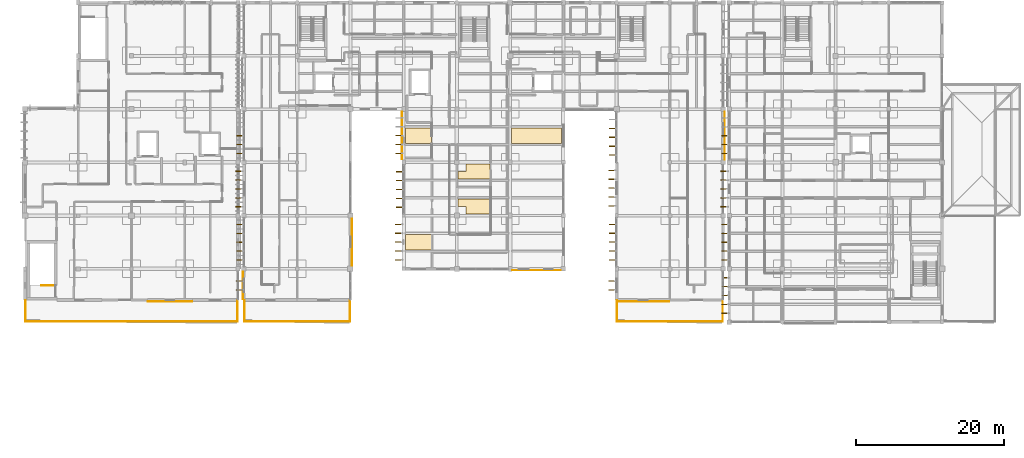
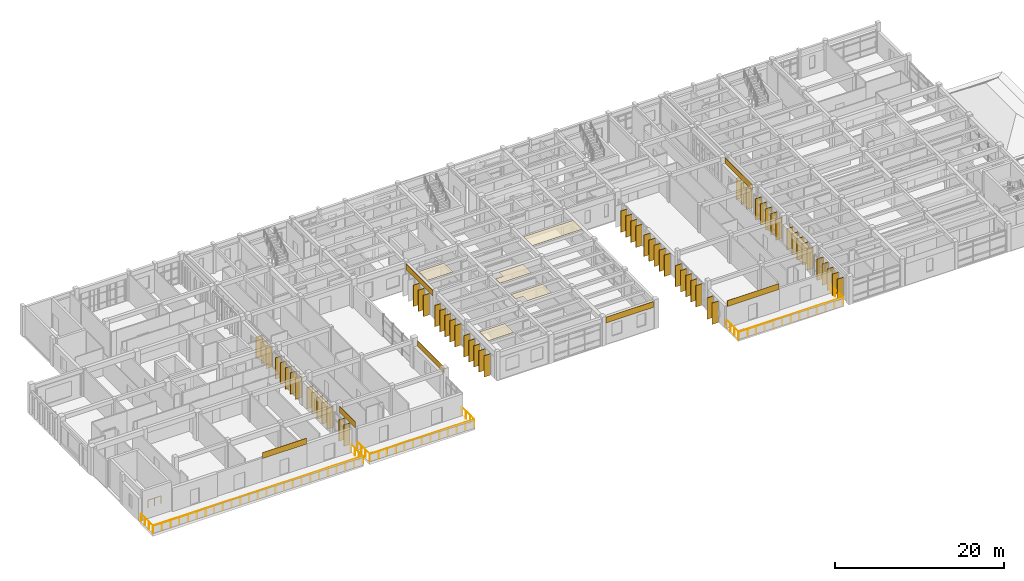
# One storey, part 49 of 55: 62 shading devices, 12 coverings, 10 railings.
"""IFC4 building model written with IfcOpenShell, lengths in metres."""

from ifc_helpers import new_model, si_unit, direction, frame, origin, origin_2d, place, context, subcontext, project, spatial, polyline, rectangle, circle, outline, extrude, material, layer, layer_set, material_profile, profile_set, type_object, element, save


model = new_model("IFC4")

# Units and contexts
model_context = context("Model", 3, precision=1e-05, world=origin(), true_north=direction((0.0, 1.0)))
body_context = subcontext(model_context, "Body", "Model", "MODEL_VIEW")
ifc_project = project(units=[si_unit("LENGTHUNIT", "METRE"), si_unit("AREAUNIT", "SQUARE_METRE"), si_unit("VOLUMEUNIT", "CUBIC_METRE"), si_unit("PLANEANGLEUNIT", "RADIAN"), si_unit("MASSUNIT", "GRAM", prefix="KILO")], contexts=[model_context])

# Site, building, storey
site_placement = place(None, origin())
site = spatial("IfcSite", under=ifc_project, at=site_placement, CompositionType="ELEMENT")
building_placement = place(site_placement, origin())
building = spatial("IfcBuilding", under=site, at=building_placement, Name="Steenspoor Specialist Clinic", CompositionType="ELEMENT")
storey_placement = place(building_placement, frame((0.0, 0.0, 13.199951171875)))
storey = spatial("IfcBuildingStorey", under=building, at=storey_placement, Name="L03", CompositionType="ELEMENT", Elevation=13.199951171875)

# Coverings
ifc_material_1 = material(Name="Washable acoustic mineral ceiling board", Category="gypsum")
ifc_layer_1 = layer(ifc_material_1, 0.02490234375)
ifc_layer_set_1 = layer_set([ifc_layer_1], Name="Washable acoustic mineral ceiling board")
covering_type_1 = type_object("IfcCoveringType", Name="COV-CEIL-ACOUSTIC", PredefinedType="CEILING", material=ifc_layer_set_1)
covering_1_placement = place(storey_placement, frame((0.0, 0.0, 3.925048828125)))
element("IfcCovering", 1, at=covering_1_placement, inside=storey, type_object=covering_type_1, Name="Acoustic Clinical Ceiling 167", PredefinedType="CEILING", context=body_context, shape_type="SweptSolid", body=[
    extrude(outline(polyline([(74.260009765625, 77.0), (77.735107421875, 77.0), (77.735107421875, 74.889892578125), (74.260009765625, 74.889892578125), (74.260009765625, 77.0)])), origin(), (0.0, 0.0, 1.0), 0.02490234375),
])
covering_2_placement = place(storey_placement, frame((0.0, 0.0, 3.925048828125)))
element("IfcCovering", 2, at=covering_2_placement, inside=storey, type_object=covering_type_1, Name="Acoustic Clinical Ceiling 168", PredefinedType="CEILING", context=body_context, shape_type="SweptSolid", body=[
    extrude(outline(polyline([(95.340087890625, 89.2900390625), (88.594970703125, 89.2900390625), (88.594970703125, 91.39990234375), (95.340087890625, 91.39990234375), (95.340087890625, 89.2900390625)])), origin(), (0.0, 0.0, 1.0), 0.02490234375),
])
covering_3_placement = place(storey_placement, frame((0.0, 0.0, 3.925048828125)))
element("IfcCovering", 3, at=covering_3_placement, inside=storey, type_object=covering_type_1, Name="Acoustic Clinical Ceiling 169", PredefinedType="CEILING", context=body_context, shape_type="SweptSolid", body=[
    extrude(outline(polyline([(85.68505859375, 79.7451171875), (82.419921875, 79.7451171875), (82.419921875, 80.77001953125), (81.3701171875, 80.77001953125), (81.3701171875, 81.81005859375), (85.68505859375, 81.81005859375), (85.68505859375, 79.7451171875)])), origin(), (0.0, 0.0, 1.0), 0.02490234375),
])
covering_4_placement = place(storey_placement, frame((0.0, 0.0, 3.925048828125)))
element("IfcCovering", 4, at=covering_4_placement, inside=storey, type_object=covering_type_1, Name="Acoustic Clinical Ceiling 170", PredefinedType="CEILING", context=body_context, shape_type="SweptSolid", body=[
    extrude(outline(polyline([(85.68505859375, 84.5), (81.3701171875, 84.5), (81.3701171875, 85.530029296875), (82.419921875, 85.530029296875), (82.419921875, 86.5048828125), (85.68505859375, 86.5048828125), (85.68505859375, 84.5)])), origin(), (0.0, 0.0, 1.0), 0.02490234375),
])
covering_5_placement = place(storey_placement, frame((0.0, 0.0, 3.925048828125)))
element("IfcCovering", 5, at=covering_5_placement, inside=storey, type_object=covering_type_1, Name="Acoustic Clinical Ceiling 171", PredefinedType="CEILING", context=body_context, shape_type="SweptSolid", body=[
    extrude(outline(polyline([(74.260009765625, 91.39990234375), (77.735107421875, 91.39990234375), (77.735107421875, 89.2900390625), (74.260009765625, 89.2900390625), (74.260009765625, 91.39990234375)])), origin(), (0.0, 0.0, 1.0), 0.02490234375),
])
ifc_material_2 = material(Name="Glazed ceramic relief spandrel cladding", Category="masonry")
ifc_layer_2 = layer(ifc_material_2, 0.034912109375)
ifc_layer_set_2 = layer_set([ifc_layer_2], Name="Glazed ceramic relief spandrel cladding")
covering_type_2 = type_object("IfcCoveringType", Name="COV-CLAD-CERAMIC", PredefinedType="CLADDING", material=ifc_layer_set_2)
covering_6_placement = place(storey_placement, frame((117.4150390625, 90.35009765625, 3.115234375), z_axis=(0.0, 0.0, 1.0), x_axis=(0.0, -1.0, 0.0)))
element("IfcCovering", 6, at=covering_6_placement, inside=storey, type_object=covering_type_2, Name="Spandrel Cladding 49", PredefinedType="CLADDING", context=body_context, shape_type="SweptSolid", body=[
    extrude(rectangle(XDim=6.47998046875, YDim=0.0400390625, at=origin_2d()), origin(), (0.0, 0.0, 1.0), 0.840087890625),
])
covering_7_placement = place(storey_placement, frame((106.39990234375, 67.919921875, 3.115234375), z_axis=(0.0, 0.0, 1.0), x_axis=(-1.0, 0.0, 0.0)))
element("IfcCovering", 7, at=covering_7_placement, inside=storey, type_object=covering_type_2, Name="Spandrel Cladding 50", PredefinedType="CLADDING", context=body_context, shape_type="SweptSolid", body=[
    extrude(rectangle(XDim=7.080078125, YDim=0.0400390625, at=origin_2d()), origin(), (0.0, 0.0, 1.0), 0.840087890625),
])
covering_8_placement = place(storey_placement, frame((91.97509765625, 72.14990234375, 3.115234375), z_axis=(0.0, 0.0, 1.0), x_axis=(-1.0, 0.0, 0.0)))
element("IfcCovering", 8, at=covering_8_placement, inside=storey, type_object=covering_type_2, Name="Spandrel Cladding 52", PredefinedType="CLADDING", context=body_context, shape_type="SweptSolid", body=[
    extrude(rectangle(XDim=6.530029296875, YDim=0.0400390625, at=origin_2d()), origin(), (0.0, 0.0, 1.0), 0.840087890625),
])
covering_9_placement = place(storey_placement, frame((73.784912109375, 90.362548828125, 3.115234375), z_axis=(0.0, 0.0, 1.0), x_axis=(0.0, 1.0, 0.0)))
element("IfcCovering", 9, at=covering_9_placement, inside=storey, type_object=covering_type_2, Name="Spandrel Cladding 53", PredefinedType="CLADDING", context=body_context, shape_type="SweptSolid", body=[
    extrude(rectangle(XDim=6.405029296875, YDim=0.0400390625, at=origin_2d()), origin(), (0.0, 0.0, 1.0), 0.840087890625),
])
covering_10_placement = place(storey_placement, frame((67.030029296875, 75.96240234375, 3.115234375), z_axis=(0.0, 0.0, 1.0), x_axis=(0.0, -1.0, 0.0)))
element("IfcCovering", 10, at=covering_10_placement, inside=storey, type_object=covering_type_2, Name="Spandrel Cladding 54", PredefinedType="CLADDING", context=body_context, shape_type="SweptSolid", body=[
    extrude(rectangle(XDim=6.35498046875, YDim=0.0400390625, at=origin_2d()), origin(), (0.0, 0.0, 1.0), 0.840087890625),
])
covering_11_placement = place(storey_placement, frame((52.260009765625, 70.10009765625, 3.115234375), z_axis=(0.0, 0.0, 1.0), x_axis=(0.0, 1.0, 0.0)))
element("IfcCovering", 11, at=covering_11_placement, inside=storey, type_object=covering_type_2, Name="Spandrel Cladding 55", PredefinedType="CLADDING", context=body_context, shape_type="SweptSolid", body=[
    extrude(rectangle(XDim=3.780029296875, YDim=0.0400390625, at=origin_2d()), origin(), (0.0, 0.0, 1.0), 0.840087890625),
])
ifc_material_3 = material(Name="Glulam GL28h timber screen louvre cladding", Category="wood")
ifc_layer_3 = layer(ifc_material_3, 0.044921875)
ifc_layer_set_3 = layer_set([ifc_layer_3], Name="Glulam GL28h timber screen louvre cladding")
covering_type_3 = type_object("IfcCoveringType", Name="COV-CLAD-TIMBER", PredefinedType="CLADDING", material=ifc_layer_set_3)
covering_12_placement = place(storey_placement, frame((42.41259765625, 67.949951171875, 3.365234375), z_axis=(0.0, 0.0, 1.0), x_axis=(-1.0, 0.0, 0.0)))
element("IfcCovering", 12, at=covering_12_placement, inside=storey, type_object=covering_type_3, Name="Spandrel Cladding 76", PredefinedType="CLADDING", context=body_context, shape_type="SweptSolid", body=[
    extrude(rectangle(XDim=6.0048828125, YDim=0.0400390625, at=origin_2d()), origin(), (0.0, 0.0, 1.0), 0.840087890625),
])

# Railings
ifc_material_4 = material(Name="Galvanised architectural steel exterior guard", Category="steel")
railing_type_1 = type_object("IfcRailingType", Name="RAIL-EGUARD-1100", PredefinedType="GUARDRAIL", material=ifc_material_4)
railing_1_placement = place(storey_placement, frame((52.4599609375, 65.2099609375, 0.0)))
element("IfcRailing", 13, at=railing_1_placement, inside=storey, type_object=railing_type_1, Name="Terrace Perimeter Guard 1", PredefinedType="GUARDRAIL", context=body_context, shape_type="SweptSolid", body=[
    extrude(circle(Radius=0.02392578125, at=origin_2d()), frame((0.0, 0.0, 1.09619140625), z_axis=(1.0, 0.0, 0.0), x_axis=(0.0, 1.0, 0.0)), (0.0, 0.0, 1.0), 14.280029296875),
    extrude(circle(Radius=0.02099609375, at=origin_2d()), origin(), (0.0, 0.0, 1.0), 1.072021484375),
    extrude(circle(Radius=0.02099609375, at=origin_2d()), frame((1.18994140625, 0.0, 0.0)), (0.0, 0.0, 1.0), 1.072021484375),
    extrude(circle(Radius=0.02099609375, at=origin_2d()), frame((2.3798828125, 0.0, 0.0)), (0.0, 0.0, 1.0), 1.072021484375),
    extrude(circle(Radius=0.02099609375, at=origin_2d()), frame((3.570068359375, 0.0, 0.0)), (0.0, 0.0, 1.0), 1.072021484375),
    extrude(circle(Radius=0.02099609375, at=origin_2d()), frame((4.760009765625, 0.0, 0.0)), (0.0, 0.0, 1.0), 1.072021484375),
    extrude(circle(Radius=0.02099609375, at=origin_2d()), frame((5.949951171875, 0.0, 0.0)), (0.0, 0.0, 1.0), 1.072021484375),
    extrude(circle(Radius=0.02099609375, at=origin_2d()), frame((7.14013671875, 0.0, 0.0)), (0.0, 0.0, 1.0), 1.072021484375),
    extrude(circle(Radius=0.02099609375, at=origin_2d()), frame((8.330078125, 0.0, 0.0)), (0.0, 0.0, 1.0), 1.072021484375),
    extrude(circle(Radius=0.02099609375, at=origin_2d()), frame((9.52001953125, 0.0, 0.0)), (0.0, 0.0, 1.0), 1.072021484375),
    extrude(circle(Radius=0.02099609375, at=origin_2d()), frame((10.7099609375, 0.0, 0.0)), (0.0, 0.0, 1.0), 1.072021484375),
    extrude(circle(Radius=0.02099609375, at=origin_2d()), frame((11.89990234375, 0.0, 0.0)), (0.0, 0.0, 1.0), 1.072021484375),
    extrude(circle(Radius=0.02099609375, at=origin_2d()), frame((13.090087890625, 0.0, 0.0)), (0.0, 0.0, 1.0), 1.072021484375),
    extrude(circle(Radius=0.02099609375, at=origin_2d()), frame((14.280029296875, 0.0, 0.0)), (0.0, 0.0, 1.0), 1.072021484375),
])
railing_2_placement = place(storey_placement, frame((66.739990234375, 65.2099609375, 0.0)))
element("IfcRailing", 14, at=railing_2_placement, inside=storey, type_object=railing_type_1, Name="Terrace Perimeter Guard 2", PredefinedType="GUARDRAIL", context=body_context, shape_type="SweptSolid", body=[
    extrude(circle(Radius=0.02392578125, at=origin_2d()), frame((0.0, 0.0, 1.09619140625), z_axis=(0.0, 1.0, 0.0), x_axis=(-1.0, 0.0, 0.0)), (0.0, 0.0, 1.0), 2.880126953125),
    extrude(circle(Radius=0.02099609375, at=origin_2d()), origin(), (0.0, 0.0, 1.0), 1.072021484375),
    extrude(circle(Radius=0.02099609375, at=origin_2d()), frame((0.0, 0.9599609375, 0.0)), (0.0, 0.0, 1.0), 1.072021484375),
    extrude(circle(Radius=0.02099609375, at=origin_2d()), frame((0.0, 1.920166015625, 0.0)), (0.0, 0.0, 1.0), 1.072021484375),
    extrude(circle(Radius=0.02099609375, at=origin_2d()), frame((0.0, 2.880126953125, 0.0)), (0.0, 0.0, 1.0), 1.072021484375),
])
railing_3_placement = place(storey_placement, frame((52.4599609375, 68.090087890625, 0.0)))
element("IfcRailing", 15, at=railing_3_placement, inside=storey, type_object=railing_type_1, Name="Terrace Perimeter Guard 3", PredefinedType="GUARDRAIL", context=body_context, shape_type="SweptSolid", body=[
    extrude(circle(Radius=0.02392578125, at=origin_2d()), frame((0.0, 0.0, 1.09619140625), z_axis=(0.0, -1.0, 0.0), x_axis=(1.0, 0.0, 0.0)), (0.0, 0.0, 1.0), 2.880126953125),
    extrude(circle(Radius=0.02099609375, at=origin_2d()), origin(), (0.0, 0.0, 1.0), 1.072021484375),
    extrude(circle(Radius=0.02099609375, at=origin_2d()), frame((0.0, -0.9599609375, 0.0)), (0.0, 0.0, 1.0), 1.072021484375),
    extrude(circle(Radius=0.02099609375, at=origin_2d()), frame((0.0, -1.920166015625, 0.0)), (0.0, 0.0, 1.0), 1.072021484375),
    extrude(circle(Radius=0.02099609375, at=origin_2d()), frame((0.0, -2.880126953125, 0.0)), (0.0, 0.0, 1.0), 1.072021484375),
])
railing_4_placement = place(storey_placement, frame((102.860107421875, 65.2099609375, 0.0)))
element("IfcRailing", 16, at=railing_4_placement, inside=storey, type_object=railing_type_1, Name="Terrace Perimeter Guard 4", PredefinedType="GUARDRAIL", context=body_context, shape_type="SweptSolid", body=[
    extrude(circle(Radius=0.02392578125, at=origin_2d()), frame((0.0, 0.0, 1.09619140625), z_axis=(1.0, 0.0, 0.0), x_axis=(0.0, 1.0, 0.0)), (0.0, 0.0, 1.0), 14.27978515625),
    extrude(circle(Radius=0.02099609375, at=origin_2d()), origin(), (0.0, 0.0, 1.0), 1.072021484375),
    extrude(circle(Radius=0.02099609375, at=origin_2d()), frame((1.18994140625, 0.0, 0.0)), (0.0, 0.0, 1.0), 1.072021484375),
    extrude(circle(Radius=0.02099609375, at=origin_2d()), frame((2.3798828125, 0.0, 0.0)), (0.0, 0.0, 1.0), 1.072021484375),
    extrude(circle(Radius=0.02099609375, at=origin_2d()), frame((3.56982421875, 0.0, 0.0)), (0.0, 0.0, 1.0), 1.072021484375),
    extrude(circle(Radius=0.02099609375, at=origin_2d()), frame((4.760009765625, 0.0, 0.0)), (0.0, 0.0, 1.0), 1.072021484375),
    extrude(circle(Radius=0.02099609375, at=origin_2d()), frame((5.949951171875, 0.0, 0.0)), (0.0, 0.0, 1.0), 1.072021484375),
    extrude(circle(Radius=0.02099609375, at=origin_2d()), frame((7.139892578125, 0.0, 0.0)), (0.0, 0.0, 1.0), 1.072021484375),
    extrude(circle(Radius=0.02099609375, at=origin_2d()), frame((8.329833984375, 0.0, 0.0)), (0.0, 0.0, 1.0), 1.072021484375),
    extrude(circle(Radius=0.02099609375, at=origin_2d()), frame((9.519775390625, 0.0, 0.0)), (0.0, 0.0, 1.0), 1.072021484375),
    extrude(circle(Radius=0.02099609375, at=origin_2d()), frame((10.7099609375, 0.0, 0.0)), (0.0, 0.0, 1.0), 1.072021484375),
    extrude(circle(Radius=0.02099609375, at=origin_2d()), frame((11.89990234375, 0.0, 0.0)), (0.0, 0.0, 1.0), 1.072021484375),
    extrude(circle(Radius=0.02099609375, at=origin_2d()), frame((13.08984375, 0.0, 0.0)), (0.0, 0.0, 1.0), 1.072021484375),
    extrude(circle(Radius=0.02099609375, at=origin_2d()), frame((14.27978515625, 0.0, 0.0)), (0.0, 0.0, 1.0), 1.072021484375),
])
railing_5_placement = place(storey_placement, frame((117.139892578125, 65.2099609375, 0.0)))
element("IfcRailing", 17, at=railing_5_placement, inside=storey, type_object=railing_type_1, Name="Terrace Perimeter Guard 5", PredefinedType="GUARDRAIL", context=body_context, shape_type="SweptSolid", body=[
    extrude(circle(Radius=0.02392578125, at=origin_2d()), frame((0.0, 0.0, 1.09619140625), z_axis=(0.0, 1.0, 0.0), x_axis=(-1.0, 0.0, 0.0)), (0.0, 0.0, 1.0), 2.880126953125),
    extrude(circle(Radius=0.02099609375, at=origin_2d()), origin(), (0.0, 0.0, 1.0), 1.072021484375),
    extrude(circle(Radius=0.02099609375, at=origin_2d()), frame((0.0, 0.9599609375, 0.0)), (0.0, 0.0, 1.0), 1.072021484375),
    extrude(circle(Radius=0.02099609375, at=origin_2d()), frame((0.0, 1.920166015625, 0.0)), (0.0, 0.0, 1.0), 1.072021484375),
    extrude(circle(Radius=0.02099609375, at=origin_2d()), frame((0.0, 2.880126953125, 0.0)), (0.0, 0.0, 1.0), 1.072021484375),
])
railing_6_placement = place(storey_placement, frame((102.860107421875, 68.090087890625, 0.0)))
element("IfcRailing", 18, at=railing_6_placement, inside=storey, type_object=railing_type_1, Name="Terrace Perimeter Guard 6", PredefinedType="GUARDRAIL", context=body_context, shape_type="SweptSolid", body=[
    extrude(circle(Radius=0.02392578125, at=origin_2d()), frame((0.0, 0.0, 1.09619140625), z_axis=(0.0, -1.0, 0.0), x_axis=(1.0, 0.0, 0.0)), (0.0, 0.0, 1.0), 2.880126953125),
    extrude(circle(Radius=0.02099609375, at=origin_2d()), origin(), (0.0, 0.0, 1.0), 1.072021484375),
    extrude(circle(Radius=0.02099609375, at=origin_2d()), frame((0.0, -0.9599609375, 0.0)), (0.0, 0.0, 1.0), 1.072021484375),
    extrude(circle(Radius=0.02099609375, at=origin_2d()), frame((0.0, -1.920166015625, 0.0)), (0.0, 0.0, 1.0), 1.072021484375),
    extrude(circle(Radius=0.02099609375, at=origin_2d()), frame((0.0, -2.880126953125, 0.0)), (0.0, 0.0, 1.0), 1.072021484375),
])
railing_7_placement = place(storey_placement, frame((22.860107421875, 65.2099609375, 0.0)))
element("IfcRailing", 19, at=railing_7_placement, inside=storey, type_object=railing_type_1, Name="Terrace Perimeter Guard 19", PredefinedType="GUARDRAIL", context=body_context, shape_type="SweptSolid", body=[
    extrude(circle(Radius=0.02392578125, at=origin_2d()), frame((0.0, 0.0, 1.09619140625), z_axis=(1.0, 0.0, 0.0), x_axis=(0.0, 1.0, 0.0)), (0.0, 0.0, 1.0), 28.679931640625),
    extrude(circle(Radius=0.02099609375, at=origin_2d()), origin(), (0.0, 0.0, 1.0), 1.072021484375),
    extrude(circle(Radius=0.02099609375, at=origin_2d()), frame((1.195068359375, 0.0, 0.0)), (0.0, 0.0, 1.0), 1.072021484375),
    extrude(circle(Radius=0.02099609375, at=origin_2d()), frame((2.389892578125, 0.0, 0.0)), (0.0, 0.0, 1.0), 1.072021484375),
    extrude(circle(Radius=0.02099609375, at=origin_2d()), frame((3.5849609375, 0.0, 0.0)), (0.0, 0.0, 1.0), 1.072021484375),
    extrude(circle(Radius=0.02099609375, at=origin_2d()), frame((4.780029296875, 0.0, 0.0)), (0.0, 0.0, 1.0), 1.072021484375),
    extrude(circle(Radius=0.02099609375, at=origin_2d()), frame((5.97509765625, 0.0, 0.0)), (0.0, 0.0, 1.0), 1.072021484375),
    extrude(circle(Radius=0.02099609375, at=origin_2d()), frame((7.169921875, 0.0, 0.0)), (0.0, 0.0, 1.0), 1.072021484375),
    extrude(circle(Radius=0.02099609375, at=origin_2d()), frame((8.364990234375, 0.0, 0.0)), (0.0, 0.0, 1.0), 1.072021484375),
    extrude(circle(Radius=0.02099609375, at=origin_2d()), frame((9.56005859375, 0.0, 0.0)), (0.0, 0.0, 1.0), 1.072021484375),
    extrude(circle(Radius=0.02099609375, at=origin_2d()), frame((10.7548828125, 0.0, 0.0)), (0.0, 0.0, 1.0), 1.072021484375),
    extrude(circle(Radius=0.02099609375, at=origin_2d()), frame((11.949951171875, 0.0, 0.0)), (0.0, 0.0, 1.0), 1.072021484375),
    extrude(circle(Radius=0.02099609375, at=origin_2d()), frame((13.14501953125, 0.0, 0.0)), (0.0, 0.0, 1.0), 1.072021484375),
    extrude(circle(Radius=0.02099609375, at=origin_2d()), frame((14.33984375, 0.0, 0.0)), (0.0, 0.0, 1.0), 1.072021484375),
    extrude(circle(Radius=0.02099609375, at=origin_2d()), frame((15.534912109375, 0.0, 0.0)), (0.0, 0.0, 1.0), 1.072021484375),
    extrude(circle(Radius=0.02099609375, at=origin_2d()), frame((16.72998046875, 0.0, 0.0)), (0.0, 0.0, 1.0), 1.072021484375),
    extrude(circle(Radius=0.02099609375, at=origin_2d()), frame((17.925048828125, 0.0, 0.0)), (0.0, 0.0, 1.0), 1.072021484375),
    extrude(circle(Radius=0.02099609375, at=origin_2d()), frame((19.119873046875, 0.0, 0.0)), (0.0, 0.0, 1.0), 1.072021484375),
    extrude(circle(Radius=0.02099609375, at=origin_2d()), frame((20.31494140625, 0.0, 0.0)), (0.0, 0.0, 1.0), 1.072021484375),
    extrude(circle(Radius=0.02099609375, at=origin_2d()), frame((21.510009765625, 0.0, 0.0)), (0.0, 0.0, 1.0), 1.072021484375),
    extrude(circle(Radius=0.02099609375, at=origin_2d()), frame((22.704833984375, 0.0, 0.0)), (0.0, 0.0, 1.0), 1.072021484375),
    extrude(circle(Radius=0.02099609375, at=origin_2d()), frame((23.89990234375, 0.0, 0.0)), (0.0, 0.0, 1.0), 1.072021484375),
    extrude(circle(Radius=0.02099609375, at=origin_2d()), frame((25.094970703125, 0.0, 0.0)), (0.0, 0.0, 1.0), 1.072021484375),
    extrude(circle(Radius=0.02099609375, at=origin_2d()), frame((26.2900390625, 0.0, 0.0)), (0.0, 0.0, 1.0), 1.072021484375),
    extrude(circle(Radius=0.02099609375, at=origin_2d()), frame((27.48486328125, 0.0, 0.0)), (0.0, 0.0, 1.0), 1.072021484375),
    extrude(circle(Radius=0.02099609375, at=origin_2d()), frame((28.679931640625, 0.0, 0.0)), (0.0, 0.0, 1.0), 1.072021484375),
])
railing_8_placement = place(storey_placement, frame((51.5400390625, 65.2099609375, 0.0)))
element("IfcRailing", 20, at=railing_8_placement, inside=storey, type_object=railing_type_1, Name="Terrace Perimeter Guard 20", PredefinedType="GUARDRAIL", context=body_context, shape_type="SweptSolid", body=[
    extrude(circle(Radius=0.02392578125, at=origin_2d()), frame((0.0, 0.0, 1.09619140625), z_axis=(0.0, 1.0, 0.0), x_axis=(-1.0, 0.0, 0.0)), (0.0, 0.0, 1.0), 2.880126953125),
    extrude(circle(Radius=0.02099609375, at=origin_2d()), origin(), (0.0, 0.0, 1.0), 1.072021484375),
    extrude(circle(Radius=0.02099609375, at=origin_2d()), frame((0.0, 0.9599609375, 0.0)), (0.0, 0.0, 1.0), 1.072021484375),
    extrude(circle(Radius=0.02099609375, at=origin_2d()), frame((0.0, 1.920166015625, 0.0)), (0.0, 0.0, 1.0), 1.072021484375),
    extrude(circle(Radius=0.02099609375, at=origin_2d()), frame((0.0, 2.880126953125, 0.0)), (0.0, 0.0, 1.0), 1.072021484375),
])
railing_9_placement = place(storey_placement, frame((22.860107421875, 68.090087890625, 0.0)))
element("IfcRailing", 21, at=railing_9_placement, inside=storey, type_object=railing_type_1, Name="Terrace Perimeter Guard 21", PredefinedType="GUARDRAIL", context=body_context, shape_type="SweptSolid", body=[
    extrude(circle(Radius=0.02392578125, at=origin_2d()), frame((0.0, 0.0, 1.09619140625), z_axis=(0.0, -1.0, 0.0), x_axis=(1.0, 0.0, 0.0)), (0.0, 0.0, 1.0), 2.880126953125),
    extrude(circle(Radius=0.02099609375, at=origin_2d()), origin(), (0.0, 0.0, 1.0), 1.072021484375),
    extrude(circle(Radius=0.02099609375, at=origin_2d()), frame((0.0, -0.9599609375, 0.0)), (0.0, 0.0, 1.0), 1.072021484375),
    extrude(circle(Radius=0.02099609375, at=origin_2d()), frame((0.0, -1.920166015625, 0.0)), (0.0, 0.0, 1.0), 1.072021484375),
    extrude(circle(Radius=0.02099609375, at=origin_2d()), frame((0.0, -2.880126953125, 0.0)), (0.0, 0.0, 1.0), 1.072021484375),
])
ifc_material_5 = material(Name="Painted architectural steel balustrade", Category="steel")
railing_type_2 = type_object("IfcRailingType", Name="RAIL-GUARD-1100", PredefinedType="GUARDRAIL", material=ifc_material_5)
railing_10_placement = place(storey_placement, frame((26.75, 70.10009765625, 0.0)))
element("IfcRailing", 22, at=railing_10_placement, inside=storey, type_object=railing_type_2, Name="L03 ST-V5B top well guard 1", PredefinedType="GUARDRAIL", context=body_context, shape_type="SweptSolid", body=[
    extrude(circle(Radius=0.02392578125, at=origin_2d()), frame((0.0, 0.0, 1.076171875), z_axis=(-1.0, 0.0, 0.0), x_axis=(0.0, -1.0, 0.0)), (0.0, 0.0, 1.0), 1.75),
    extrude(circle(Radius=0.02099609375, at=origin_2d()), origin(), (0.0, 0.0, 1.0), 1.052001953125),
    extrude(circle(Radius=0.02099609375, at=origin_2d()), frame((-0.875, 0.0, 0.0)), (0.0, 0.0, 1.0), 1.052001953125),
    extrude(circle(Radius=0.02099609375, at=origin_2d()), frame((-1.75, 0.0, 0.0)), (0.0, 0.0, 1.0), 1.052001953125),
])

# Shading devices
ifc_material_6 = material(Name="Glulam GL28h", Category="wood")
ifc_material_profile = material_profile(ifc_material_6, rectangle(XDim=0.090087890625, YDim=0.85009765625, at=origin_2d()), Name="GL28H-90X850")
ifc_profile_set = profile_set([ifc_material_profile], Name="Glulam GL28h")
shading_device_type = type_object("IfcShadingDeviceType", Name="SHADE-FIN-850", PredefinedType="JALOUSIE", material=ifc_profile_set)
for number, where, z_axis, x_axis, name in (
    (23, (102.1298828125, 69.5, 0.0), (0.0, 0.0, 1.0), (0.0, 1.0, 0.0), "Glulam Sun Fin FIN-V4-L03-0091"),
    (24, (102.1298828125, 70.699951171875, 0.0), (0.0, 0.0, 1.0), (0.0, 1.0, 0.0), "Glulam Sun Fin FIN-V4-L03-0092"),
    (25, (102.2451171875, 73.5625, 0.0), (0.0, 0.0, 1.0), (0.0, 1.0, 0.0), "Glulam Sun Fin FIN-V4-L03-0093"),
    (26, (102.2451171875, 74.762451171875, 0.0), (0.0, 0.0, 1.0), (0.0, 1.0, 0.0), "Glulam Sun Fin FIN-V4-L03-0094"),
    (27, (102.2451171875, 75.96240234375, 0.0), (0.0, 0.0, 1.0), (0.0, 1.0, 0.0), "Glulam Sun Fin FIN-V4-L03-0095"),
    (28, (102.2451171875, 77.16259765625, 0.0), (0.0, 0.0, 1.0), (0.0, 1.0, 0.0), "Glulam Sun Fin FIN-V4-L03-0096"),
    (29, (102.2451171875, 78.362548828125, 0.0), (0.0, 0.0, 1.0), (0.0, 1.0, 0.0), "Glulam Sun Fin FIN-V4-L03-0097"),
    (30, (102.14501953125, 80.862548828125, 0.0), (0.0, 0.0, 1.0), (0.0, 1.0, 0.0), "Glulam Sun Fin FIN-V4-L03-0098"),
    (31, (102.14501953125, 82.0625, 0.0), (0.0, 0.0, 1.0), (0.0, 1.0, 0.0), "Glulam Sun Fin FIN-V4-L03-0099"),
    (32, (102.14501953125, 83.262451171875, 0.0), (0.0, 0.0, 1.0), (0.0, 1.0, 0.0), "Glulam Sun Fin FIN-V4-L03-0100"),
    (33, (102.14501953125, 84.46240234375, 0.0), (0.0, 0.0, 1.0), (0.0, 1.0, 0.0), "Glulam Sun Fin FIN-V4-L03-0101"),
    (34, (102.14501953125, 85.66259765625, 0.0), (0.0, 0.0, 1.0), (0.0, 1.0, 0.0), "Glulam Sun Fin FIN-V4-L03-0102"),
    (35, (102.2451171875, 87.737548828125, 0.0), (0.0, 0.0, 1.0), (0.0, 1.0, 0.0), "Glulam Sun Fin FIN-V4-L03-0103"),
    (36, (102.2451171875, 88.9375, 0.0), (0.0, 0.0, 1.0), (0.0, 1.0, 0.0), "Glulam Sun Fin FIN-V4-L03-0104"),
    (37, (102.2451171875, 90.137451171875, 0.0), (0.0, 0.0, 1.0), (0.0, 1.0, 0.0), "Glulam Sun Fin FIN-V4-L03-0105"),
    (38, (102.2451171875, 91.33740234375, 0.0), (0.0, 0.0, 1.0), (0.0, 1.0, 0.0), "Glulam Sun Fin FIN-V4-L03-0106"),
    (39, (73.31494140625, 73.5625, 0.0), (0.0, 0.0, 1.0), (0.0, 1.0, 0.0), "Glulam Sun Fin FIN-V4-L03-0108"),
    (40, (73.31494140625, 74.762451171875, 0.0), (0.0, 0.0, 1.0), (0.0, 1.0, 0.0), "Glulam Sun Fin FIN-V4-L03-0109"),
    (41, (73.31494140625, 75.96240234375, 0.0), (0.0, 0.0, 1.0), (0.0, 1.0, 0.0), "Glulam Sun Fin FIN-V4-L03-0110"),
    (42, (73.31494140625, 77.16259765625, 0.0), (0.0, 0.0, 1.0), (0.0, 1.0, 0.0), "Glulam Sun Fin FIN-V4-L03-0111"),
    (43, (73.31494140625, 78.362548828125, 0.0), (0.0, 0.0, 1.0), (0.0, 1.0, 0.0), "Glulam Sun Fin FIN-V4-L03-0112"),
    (44, (73.445068359375, 80.675048828125, 0.0), (0.0, 0.0, 1.0), (0.0, 1.0, 0.0), "Glulam Sun Fin FIN-V4-L03-0113"),
    (45, (73.445068359375, 81.875, 0.0), (0.0, 0.0, 1.0), (0.0, 1.0, 0.0), "Glulam Sun Fin FIN-V4-L03-0114"),
    (46, (73.445068359375, 83.074951171875, 0.0), (0.0, 0.0, 1.0), (0.0, 1.0, 0.0), "Glulam Sun Fin FIN-V4-L03-0115"),
    (47, (73.445068359375, 84.27490234375, 0.0), (0.0, 0.0, 1.0), (0.0, 1.0, 0.0), "Glulam Sun Fin FIN-V4-L03-0116"),
    (48, (73.445068359375, 85.47509765625, 0.0), (0.0, 0.0, 1.0), (0.0, 1.0, 0.0), "Glulam Sun Fin FIN-V4-L03-0117"),
    (49, (73.330078125, 87.96240234375, 0.0), (0.0, 0.0, 1.0), (0.0, 1.0, 0.0), "Glulam Sun Fin FIN-V4-L03-0118"),
    (50, (73.330078125, 89.16259765625, 0.0), (0.0, 0.0, 1.0), (0.0, 1.0, 0.0), "Glulam Sun Fin FIN-V4-L03-0119"),
    (51, (73.330078125, 90.362548828125, 0.0), (0.0, 0.0, 1.0), (0.0, 1.0, 0.0), "Glulam Sun Fin FIN-V4-L03-0120"),
    (52, (51.804931640625, 69.5, 0.0), (0.0, 0.0, 1.0), (0.0, 1.0, 0.0), "Glulam Sun Fin FIN-V4-L03-0123"),
    (53, (51.804931640625, 70.699951171875, 0.0), (0.0, 0.0, 1.0), (0.0, 1.0, 0.0), "Glulam Sun Fin FIN-V4-L03-0124"),
    (54, (51.844970703125, 73.550048828125, 0.0), (0.0, 0.0, 1.0), (0.0, 1.0, 0.0), "Glulam Sun Fin FIN-V4-L03-0125"),
    (55, (51.844970703125, 74.75, 0.0), (0.0, 0.0, 1.0), (0.0, 1.0, 0.0), "Glulam Sun Fin FIN-V4-L03-0126"),
    (56, (51.844970703125, 75.949951171875, 0.0), (0.0, 0.0, 1.0), (0.0, 1.0, 0.0), "Glulam Sun Fin FIN-V4-L03-0127"),
    (57, (51.844970703125, 77.14990234375, 0.0), (0.0, 0.0, 1.0), (0.0, 1.0, 0.0), "Glulam Sun Fin FIN-V4-L03-0128"),
    (58, (51.844970703125, 78.35009765625, 0.0), (0.0, 0.0, 1.0), (0.0, 1.0, 0.0), "Glulam Sun Fin FIN-V4-L03-0129"),
    (59, (51.715087890625, 80.75, 0.0), (0.0, 0.0, 1.0), (0.0, 1.0, 0.0), "Glulam Sun Fin FIN-V4-L03-0130"),
    (60, (51.715087890625, 81.949951171875, 0.0), (0.0, 0.0, 1.0), (0.0, 1.0, 0.0), "Glulam Sun Fin FIN-V4-L03-0131"),
    (61, (51.715087890625, 83.14990234375, 0.0), (0.0, 0.0, 1.0), (0.0, 1.0, 0.0), "Glulam Sun Fin FIN-V4-L03-0132"),
    (62, (51.715087890625, 84.35009765625, 0.0), (0.0, 0.0, 1.0), (0.0, 1.0, 0.0), "Glulam Sun Fin FIN-V4-L03-0133"),
    (63, (51.715087890625, 85.550048828125, 0.0), (0.0, 0.0, 1.0), (0.0, 1.0, 0.0), "Glulam Sun Fin FIN-V4-L03-0134"),
    (64, (51.844970703125, 87.949951171875, 0.0), (0.0, 0.0, 1.0), (0.0, 1.0, 0.0), "Glulam Sun Fin FIN-V4-L03-0135"),
    (65, (51.844970703125, 89.14990234375, 0.0), (0.0, 0.0, 1.0), (0.0, 1.0, 0.0), "Glulam Sun Fin FIN-V4-L03-0136"),
    (66, (51.844970703125, 90.35009765625, 0.0), (0.0, 0.0, 1.0), (0.0, 1.0, 0.0), "Glulam Sun Fin FIN-V4-L03-0137"),
    (67, (117.405029296875, 66.35009765625, 0.0), (0.0, 0.0, 1.0), (0.0, 1.0, 0.0), "Glulam Sun Fin FIN-V6-L03-0180"),
    (68, (117.405029296875, 67.550048828125, 0.0), (0.0, 0.0, 1.0), (0.0, 1.0, 0.0), "Glulam Sun Fin FIN-V6-L03-0181"),
    (69, (117.405029296875, 68.75, 0.0), (0.0, 0.0, 1.0), (0.0, 1.0, 0.0), "Glulam Sun Fin FIN-V6-L03-0182"),
    (70, (117.405029296875, 69.949951171875, 0.0), (0.0, 0.0, 1.0), (0.0, 1.0, 0.0), "Glulam Sun Fin FIN-V6-L03-0183"),
    (71, (117.405029296875, 71.14990234375, 0.0), (0.0, 0.0, 1.0), (0.0, 1.0, 0.0), "Glulam Sun Fin FIN-V6-L03-0184"),
    (72, (117.445068359375, 73.550048828125, 0.0), (0.0, 0.0, 1.0), (0.0, 1.0, 0.0), "Glulam Sun Fin FIN-V6-L03-0185"),
    (73, (117.445068359375, 74.75, 0.0), (0.0, 0.0, 1.0), (0.0, 1.0, 0.0), "Glulam Sun Fin FIN-V6-L03-0186"),
    (74, (117.445068359375, 75.949951171875, 0.0), (0.0, 0.0, 1.0), (0.0, 1.0, 0.0), "Glulam Sun Fin FIN-V6-L03-0187"),
    (75, (117.445068359375, 77.14990234375, 0.0), (0.0, 0.0, 1.0), (0.0, 1.0, 0.0), "Glulam Sun Fin FIN-V6-L03-0188"),
    (76, (117.445068359375, 78.35009765625, 0.0), (0.0, 0.0, 1.0), (0.0, 1.0, 0.0), "Glulam Sun Fin FIN-V6-L03-0189"),
    (77, (117.31494140625, 80.75, 0.0), (0.0, 0.0, 1.0), (0.0, 1.0, 0.0), "Glulam Sun Fin FIN-V6-L03-0190"),
    (78, (117.31494140625, 81.949951171875, 0.0), (0.0, 0.0, 1.0), (0.0, 1.0, 0.0), "Glulam Sun Fin FIN-V6-L03-0191"),
    (79, (117.31494140625, 83.14990234375, 0.0), (0.0, 0.0, 1.0), (0.0, 1.0, 0.0), "Glulam Sun Fin FIN-V6-L03-0192"),
    (80, (117.31494140625, 84.35009765625, 0.0), (0.0, 0.0, 1.0), (0.0, 1.0, 0.0), "Glulam Sun Fin FIN-V6-L03-0193"),
    (81, (117.31494140625, 85.550048828125, 0.0), (0.0, 0.0, 1.0), (0.0, 1.0, 0.0), "Glulam Sun Fin FIN-V6-L03-0194"),
    (82, (117.445068359375, 87.949951171875, 0.0), (0.0, 0.0, 1.0), (0.0, 1.0, 0.0), "Glulam Sun Fin FIN-V6-L03-0195"),
    (83, (117.445068359375, 89.14990234375, 0.0), (0.0, 0.0, 1.0), (0.0, 1.0, 0.0), "Glulam Sun Fin FIN-V6-L03-0196"),
    (84, (117.445068359375, 90.35009765625, 0.0), (0.0, 0.0, 1.0), (0.0, 1.0, 0.0), "Glulam Sun Fin FIN-V6-L03-0197"),
):
    element("IfcShadingDevice", number, at=place(storey_placement, frame(where, z_axis=z_axis, x_axis=x_axis)), inside=storey, type_object=shading_device_type, Name=name, PredefinedType="JALOUSIE", context=body_context, shape_type="SweptSolid", body=[
        extrude(rectangle(XDim=0.090087890625, YDim=0.85009765625, at=origin_2d()), origin(), (0.0, 0.0, 1.0), 3.080078125),
    ])

save(model, "model.ifc")
